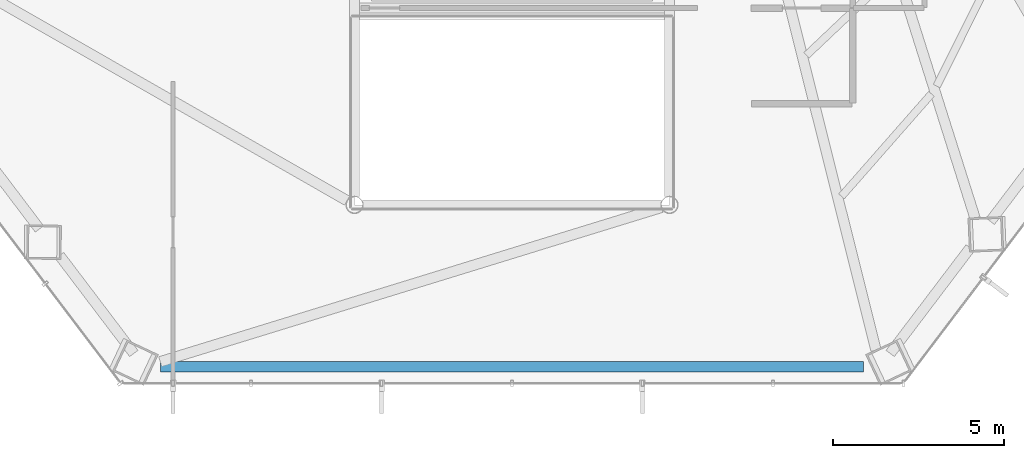
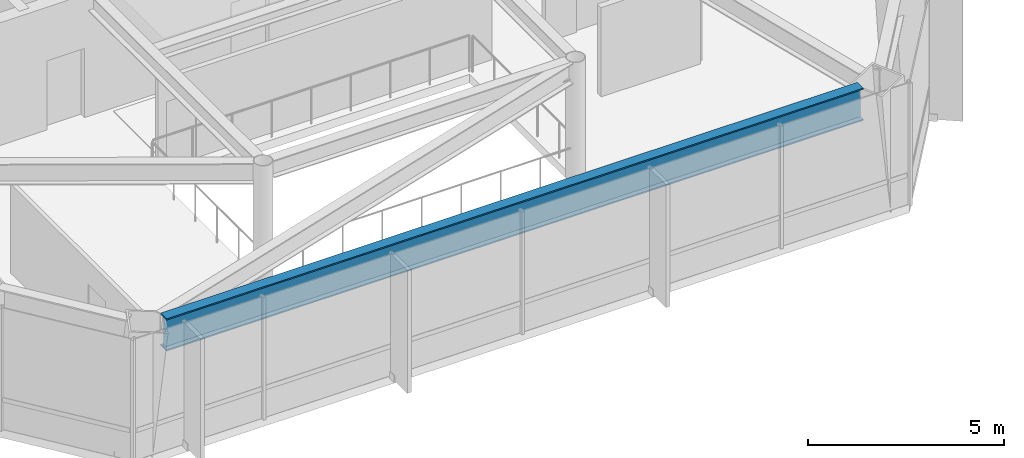
# One storey, part 6 of 26: 1 beam.
"""IFC4 building model written with IfcOpenShell, lengths in metres."""

import ifcopenshell
import ifcopenshell.guid

model = None  # the IFC model being written
_history = None  # IfcOwnerHistory: only IFC2X3 demands one
_inside = {}  # id of a spatial element -> (the spatial element, [elements in it])
_under = {}  # id of a project, library or spatial element -> (it, [spatial elements below it])
_declared = {}  # id of a project -> (the project, [libraries it declares])
_typed = {}  # id of a type object -> (the type object, [elements of that type])
_made_of = {}  # id of a material, layer set ... -> (it, [elements and type objects made of it])


def new_model(schema):
    """Start an empty IFC model of exactly this schema.

    Asked for "IFC4X3", IfcOpenShell would pick the latest addendum, in which some entities
    have other attributes; the version numbers below select the first issue.
    IFC2X3 requires an IfcOwnerHistory on every rooted entity: one is made here for all.
    """
    global model, _history
    if schema == "IFC4X3":
        model = ifcopenshell.file(schema_version=(4, 3, 0, 0))
    else:
        model = ifcopenshell.file(schema=schema)
    _inside.clear()
    _under.clear()
    _declared.clear()
    _typed.clear()
    _made_of.clear()
    _history = None
    if model.schema == "IFC2X3":
        org = make("IfcOrganization", Name="unknown")
        user = make(
            "IfcPersonAndOrganization",
            ThePerson=make("IfcPerson", FamilyName="unknown"),
            TheOrganization=org,
        )
        app = make(
            "IfcApplication",
            ApplicationDeveloper=org,
            Version="unknown",
            ApplicationFullName="unknown",
            ApplicationIdentifier="unknown",
        )
        _history = make(
            "IfcOwnerHistory",
            OwningUser=user,
            OwningApplication=app,
            ChangeAction="ADDED",
            CreationDate=0,
        )
    return model


def make(cls, **values):
    """One entity of the class cls with the attributes given. An attribute that is None is left unset."""
    return model.create_entity(
        cls, **{name: value for name, value in values.items() if value is not None}
    )


def rooted(cls, **values):
    """An entity with a GlobalId (a new one), such as an element, a storey or a relation."""
    return make(cls, GlobalId=ifcopenshell.guid.new(), OwnerHistory=_history, **values)


def si_unit(unit_type, name, prefix=None):
    """IfcSIUnit, for example si_unit("LENGTHUNIT", "METRE", prefix="MILLI")."""
    return make("IfcSIUnit", UnitType=unit_type, Prefix=prefix, Name=name)


def assignment(units):
    """IfcUnitAssignment: the units of a project."""
    return None if units is None else make("IfcUnitAssignment", Units=units)


def point(xyz):
    """IfcCartesianPoint."""
    return None if xyz is None else make("IfcCartesianPoint", Coordinates=xyz)


def direction(xyz):
    """IfcDirection."""
    return None if xyz is None else make("IfcDirection", DirectionRatios=xyz)


def frame(location, z_axis=None, x_axis=None):
    """IfcAxis2Placement3D, a coordinate frame: its origin and axes. An axis left out is left unset."""
    return make(
        "IfcAxis2Placement3D",
        Location=point(location),
        Axis=direction(z_axis),
        RefDirection=direction(x_axis),
    )


def frame_2d(location, x_axis=None):
    """IfcAxis2Placement2D, a coordinate frame in the plane: its origin and x axis."""
    return make(
        "IfcAxis2Placement2D", Location=point(location), RefDirection=direction(x_axis)
    )


def origin():
    """The frame at (0, 0, 0) with its axes left unset."""
    return frame((0.0, 0.0, 0.0))


def origin_2d():
    """The frame at (0, 0) in the plane with its x axis left unset."""
    return frame_2d((0.0, 0.0))


def place(relative_to, where):
    """IfcLocalPlacement: puts the frame where relative to a parent placement (None: the world)."""
    return make(
        "IfcLocalPlacement", PlacementRelTo=relative_to, RelativePlacement=where
    )


def context(
    kind, dimensions, precision=None, world=None, true_north=None, identifier=None
):
    """IfcGeometricRepresentationContext, for example the 3D "Model" context."""
    return make(
        "IfcGeometricRepresentationContext",
        ContextIdentifier=identifier,
        ContextType=kind,
        CoordinateSpaceDimension=dimensions,
        Precision=precision,
        WorldCoordinateSystem=world,
        TrueNorth=true_north,
    )


def subcontext(parent, identifier, kind, view, scale=None):
    """IfcGeometricRepresentationSubContext, for example "Body" below "Model"."""
    return make(
        "IfcGeometricRepresentationSubContext",
        ContextIdentifier=identifier,
        ContextType=kind,
        ParentContext=parent,
        TargetScale=scale,
        TargetView=view,
    )


def project(units=None, contexts=None):
    """IfcProject with its units and contexts."""
    return rooted(
        "IfcProject",
        Name="project",
        RepresentationContexts=contexts,
        UnitsInContext=assignment(units),
    )


def spatial(cls, under=None, at=None, **own):
    """A site, building, storey or space (cls), placed at a placement, below another one or the project."""
    s = rooted(cls, ObjectPlacement=at, **own)
    if under is not None:
        _under.setdefault(under.id(), (under, []))[1].append(s)
    return s


def profile(cls, at=None, kind="AREA", **sizes):
    """A parametric profile (cls). Its sizes go by their IFC names, for example OverallWidth=200.0."""
    return make(cls, ProfileType=kind, Position=at, **sizes)


def i_section(**sizes):
    """IfcIShapeProfileDef."""
    return profile("IfcIShapeProfileDef", **sizes)


def extrude(swept, where, along, depth):
    """IfcExtrudedAreaSolid: the profile swept, set in the frame where, extruded along a direction by depth."""
    return make(
        "IfcExtrudedAreaSolid",
        SweptArea=swept,
        Position=where,
        ExtrudedDirection=direction(along),
        Depth=depth,
    )


def shape(context_of_items, identifier, shape_type, items):
    """IfcShapeRepresentation: the items that make up one representation, for example the "Body"."""
    return make(
        "IfcShapeRepresentation",
        ContextOfItems=context_of_items,
        RepresentationIdentifier=identifier,
        RepresentationType=shape_type,
        Items=items,
    )


def material(Name=None, Category=None):
    """IfcMaterial."""
    return make("IfcMaterial", Name=Name, Category=Category)


def material_profile(
    of_material, cross_section, Name=None, Category=None, Priority=None
):
    """IfcMaterialProfile: a cross section and its material."""
    return make(
        "IfcMaterialProfile",
        Name=Name,
        Material=of_material,
        Profile=cross_section,
        Priority=Priority,
        Category=Category,
    )


def profile_set(profiles, Name=None, composite=None):
    """IfcMaterialProfileSet."""
    return make(
        "IfcMaterialProfileSet",
        Name=Name,
        MaterialProfiles=profiles,
        CompositeProfile=composite,
    )


def made_of(thing, what):
    """Note that an element or type object is made of a material, layer set ...; save() writes the relation."""
    if what is not None:
        _made_of.setdefault(what.id(), (what, []))[1].append(thing)
    return thing


def type_object(cls, material=None, **own):
    """A type object (cls), such as IfcWallType, which elements share."""
    return made_of(rooted(cls, **own), material)


def element(
    cls,
    number,
    at=None,
    inside=None,
    cuts=None,
    type_object=None,
    material=None,
    context=None,
    identifier="Body",
    shape_type=None,
    held_by="IfcProductDefinitionShape",
    body=None,
    shapes=None,
    **own,
):
    """One element of the class cls, such as IfcWall. Its Tag is "e" and its number.

    at: its placement. inside: the storey or other place that contains it. cuts: it is an
    opening in that element (IfcRelVoidsElement). A single representation is given by context,
    identifier, shape_type and body (its items); several are given by shapes. held_by: the class
    of the entity that holds the representations. save() writes the other relations.
    """
    e = rooted(cls, Tag="e%d" % number, ObjectPlacement=at, **own)
    if body is not None:
        shapes = [shape(context, identifier, shape_type, body)]
    if shapes is not None:
        e.Representation = make(held_by, Representations=shapes)
    if inside is not None:
        _inside.setdefault(inside.id(), (inside, []))[1].append(e)
    if cuts is not None:
        rooted(
            "IfcRelVoidsElement", RelatingBuildingElement=cuts, RelatedOpeningElement=e
        )
    if type_object is not None:
        _typed.setdefault(type_object.id(), (type_object, []))[1].append(e)
    return made_of(e, material)


def aggregate(whole, parts):
    """IfcRelAggregates: a whole, such as a stair, and the parts it consists of."""
    return rooted("IfcRelAggregates", RelatingObject=whole, RelatedObjects=parts)


def save(model, path):
    """Write the relations noted so far, then the file.

    IfcRelAggregates (storeys below a building ...), IfcRelContainedInSpatialStructure (elements
    in a storey), IfcRelDefinesByType, IfcRelAssociatesMaterial and IfcRelDeclares: one each for
    every whole, place, type object, material and project.
    """
    for whole, parts in _under.values():
        aggregate(whole, parts)
    for where, things in _inside.values():
        rooted(
            "IfcRelContainedInSpatialStructure",
            RelatedElements=things,
            RelatingStructure=where,
        )
    for kind, things in _typed.values():
        rooted("IfcRelDefinesByType", RelatedObjects=things, RelatingType=kind)
    for what, things in _made_of.values():
        rooted("IfcRelAssociatesMaterial", RelatedObjects=things, RelatingMaterial=what)
    for by, libraries in _declared.values():
        rooted("IfcRelDeclares", RelatingContext=by, RelatedDefinitions=libraries)
    model.write(path)


model = new_model("IFC4")

# Units and contexts
model_context = context("Model", 3, precision=1e-05, world=origin(), true_north=direction((0.0, 1.0)))
body_context = subcontext(model_context, "Body", "Model", "MODEL_VIEW")
ifc_project = project(units=[si_unit("LENGTHUNIT", "METRE"), si_unit("AREAUNIT", "SQUARE_METRE"), si_unit("VOLUMEUNIT", "CUBIC_METRE"), si_unit("PLANEANGLEUNIT", "RADIAN"), si_unit("MASSUNIT", "GRAM", prefix="KILO")], contexts=[model_context])

# Site, building, storey
site_placement = place(None, origin())
site = spatial("IfcSite", under=ifc_project, at=site_placement, CompositionType="ELEMENT")
building_placement = place(site_placement, origin())
building = spatial("IfcBuilding", under=site, at=building_placement, Name="Zarrinselat Tower", CompositionType="ELEMENT")
storey_placement = place(building_placement, frame((0.0, 0.0, 35.699951171875)))
storey = spatial("IfcBuildingStorey", under=building, at=storey_placement, Name="L08", CompositionType="ELEMENT", Elevation=35.699951171875)

# Beam
ifc_material = material(Name="Steel S460M", Category="steel")
ifc_material_profile = material_profile(ifc_material, i_section(OverallWidth=0.302001953125, OverallDepth=1.008056640625, WebThickness=0.02099609375, FlangeThickness=0.0400390625, at=origin_2d()), Name="HEM 1000")
ifc_profile_set = profile_set([ifc_material_profile], Name="Steel S460M")
beam_type = type_object("IfcBeamType", Name="BM-HEM1000", PredefinedType="BEAM", material=ifc_profile_set)
beam_placement = place(storey_placement, frame((28.136474609375, 19.6728515625, 3.316162109375), z_axis=(1.0, 0.0, 0.0), x_axis=(0.0, 1.0, 0.0)))
element("IfcBeam", 1, at=beam_placement, inside=storey, type_object=beam_type, Name="L08 Perimeter Spandrel Girder SP10", PredefinedType="BEAM", context=body_context, shape_type="SweptSolid", body=[
    extrude(i_section(OverallWidth=0.302001953125, OverallDepth=1.008056640625, WebThickness=0.02099609375, FlangeThickness=0.0400390625, at=origin_2d()), origin(), (0.0, 0.0, 1.0), 20.527099609375),
])

save(model, "model.ifc")
